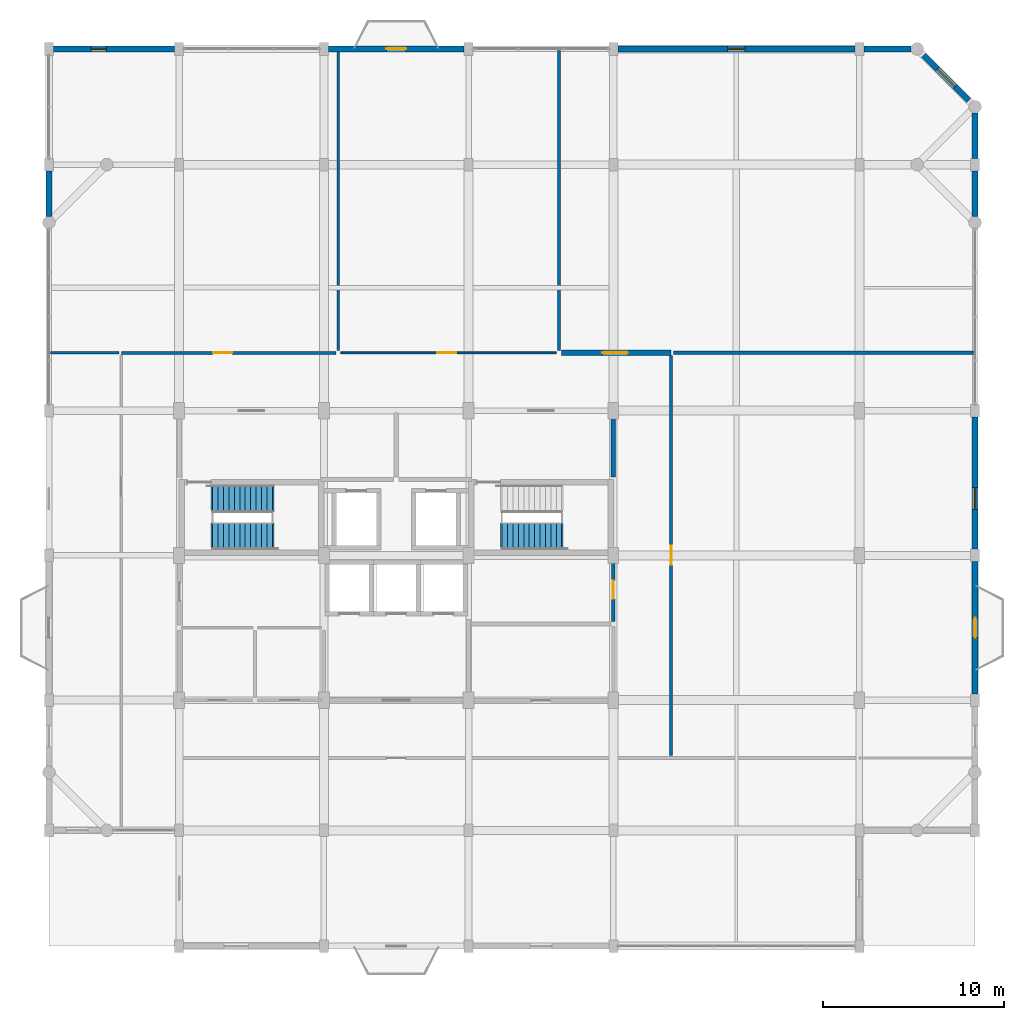
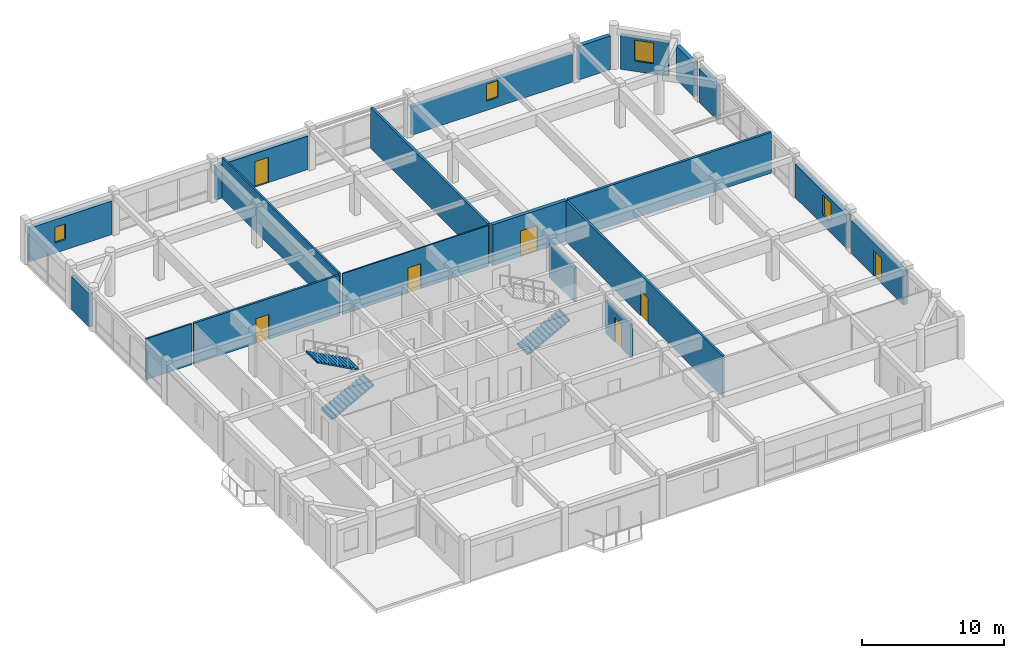
# One storey, part 12 of 14: 20 walls, 7 doors, 4 windows, 3 stair flights, 11 openings, 2 elements without a shape of their own.
"""IFC4 building model written with IfcOpenShell, lengths in metres."""

from ifc_helpers import new_model, si_unit, direction, frame, frame_2d, origin, place, context, subcontext, project, spatial, polyline, rectangle, outline, extrude, material, layer, layer_set, type_object, element, fill, aggregate, save


model = new_model("IFC4")

# Units and contexts
model_context = context("Model", 3, precision=1e-05, world=origin(), true_north=direction((0.0, 1.0)))
body_context = subcontext(model_context, "Body", "Model", "MODEL_VIEW")
ifc_project = project(units=[si_unit("LENGTHUNIT", "METRE"), si_unit("AREAUNIT", "SQUARE_METRE"), si_unit("VOLUMEUNIT", "CUBIC_METRE"), si_unit("PLANEANGLEUNIT", "RADIAN"), si_unit("MASSUNIT", "GRAM", prefix="KILO")], contexts=[model_context])

# Site, building, storey
site_placement = place(None, origin())
site = spatial("IfcSite", under=ifc_project, at=site_placement, CompositionType="ELEMENT")
building_placement = place(site_placement, origin())
building = spatial("IfcBuilding", under=site, at=building_placement, Name="Vellmiral Cinema and Media Centre", CompositionType="ELEMENT")
storey_placement = place(building_placement, frame((0.0, 0.0, 47.10009765625)))
storey = spatial("IfcBuildingStorey", under=building, at=storey_placement, Name="L11", CompositionType="ELEMENT", Elevation=47.10009765625)

# Wall, opening, door
ifc_material_1 = material(Name="Calcium-Silicate Masonry Blockwork", Category="masonry")
ifc_layer_1 = layer(ifc_material_1, 0.10009765625, Name="Calcium-Silicate Masonry Blockwork", Category="masonry")
ifc_material_2 = material(Name="Mineral Wool Acoustic Insulation", Category="insulation")
ifc_layer_2 = layer(ifc_material_2, 0.090087890625, Name="Mineral Wool Acoustic Insulation", Category="insulation")
ifc_layer_3 = layer(ifc_material_1, 0.10009765625, Name="Calcium-Silicate Masonry Blockwork", Category="masonry")
ifc_layer_set_1 = layer_set([ifc_layer_1, ifc_layer_2, ifc_layer_3], Name="Calcium-Silicate Masonry Blockwork")
wall_type_1 = type_object("IfcWallType", Name="WL-AC-290", PredefinedType="SOLIDWALL", material=ifc_layer_set_1)
wall_1_placement = place(storey_placement, frame((145.139892578125, 98.39990234375, 0.0), z_axis=(0.0, 0.0, 1.0), x_axis=(1.0, 0.0, 0.0)))
wall_1 = element("IfcWall", 1, at=wall_1_placement, inside=storey, type_object=wall_type_1, Name="North Media Screening Suite Wall S", PredefinedType="SOLIDWALL", context=body_context, shape_type="SweptSolid", body=[
    extrude(rectangle(XDim=6.06005859375, YDim=0.2900390625, at=frame_2d((3.030029296875, 0.0))), origin(), (0.0, 0.0, 1.0), 3.52001953125),
])
opening_1_placement = place(wall_1_placement, frame((2.260009765625, 0.0, 0.0)))
opening_1 = element("IfcOpeningElement", 2, at=opening_1_placement, cuts=wall_1, Name="Opening D-AC4", PredefinedType="OPENING", context=body_context, shape_type="SweptSolid", body=[
    extrude(rectangle(XDim=1.39990234375, YDim=2.199951171875, at=frame_2d((0.699951171875, 1.10009765625))), frame((0.0, 0.156982421875, 0.0), z_axis=(0.0, -1.0, 0.0), x_axis=(1.0, 0.0, 0.0)), (0.0, 0.0, 1.0), 0.31396484375),
])
ifc_material_3 = material(Name="Acoustic Studio Door", Category="steel")
door_type_1 = type_object("IfcDoorType", Name="DR-AC-1400x2200", OperationType="NOTDEFINED", PredefinedType="DOOR", material=ifc_material_3)
door_1_placement = place(opening_1_placement, frame((1.39990234375, 0.0, 0.0), z_axis=(0.0, 0.0, 1.0), x_axis=(-1.0, 0.0, 0.0)))
door_1 = element("IfcDoor", 3, at=door_1_placement, inside=storey, type_object=door_type_1, Name="North Media Screening Suite Door", OperationType="SINGLE_SWING_RIGHT", OverallHeight=2.199951171875, OverallWidth=1.39990234375, PredefinedType="DOOR", context=body_context, shape_type="SweptSolid", body=[
    extrude(rectangle(XDim=1.39990234375, YDim=2.199951171875, at=frame_2d((0.699951171875, 1.10009765625))), frame((0.0, 0.02490234375, 0.0), z_axis=(0.0, -1.0, 0.0), x_axis=(1.0, 0.0, 0.0)), (0.0, 0.0, 1.0), 0.050048828125),
])
fill(opening_1, door_1)

ifc_material_4 = material(Name="Concrete C40/50", Category="concrete")
ifc_layer_4 = layer(ifc_material_4, 0.2099609375, Name="Concrete C40/50")
ifc_layer_set_2 = layer_set([ifc_layer_4], Name="Concrete C40/50")
wall_type_2 = type_object("IfcWallType", Name="WL-COMP-210", PredefinedType="SOLIDWALL", material=ifc_layer_set_2)
wall_2_placement = place(storey_placement, frame((148.0, 83.5400390625, 0.0), z_axis=(0.0, 0.0, 1.0), x_axis=(0.0, 1.0, 0.0)))
wall_2 = element("IfcWall", 4, at=wall_2_placement, inside=storey, type_object=wall_type_2, Name="Mechanical Smoke Riser Room Wall E", PredefinedType="SOLIDWALL", context=body_context, shape_type="SweptSolid", body=[
    extrude(rectangle(XDim=3.52001953125, YDim=0.2099609375, at=frame_2d((1.760009765625, 0.0))), origin(), (0.0, 0.0, 1.0), 2.844970703125),
])
opening_2_placement = place(wall_2_placement, frame((1.260009765625, 0.0, 0.0)))
opening_2 = element("IfcOpeningElement", 5, at=opening_2_placement, cuts=wall_2, Name="Opening D-FD30B", PredefinedType="OPENING", context=body_context, shape_type="SweptSolid", body=[
    extrude(rectangle(XDim=1.0, YDim=2.14990234375, at=frame_2d((0.5, 1.074951171875))), frame((0.0, 0.116943359375, 0.0), z_axis=(0.0, -1.0, 0.0), x_axis=(1.0, 0.0, 0.0)), (0.0, 0.0, 1.0), 0.23388671875),
])
ifc_material_5 = material(Name="Steel Riser Fire Door", Category="steel")
door_type_2 = type_object("IfcDoorType", Name="DR-FD30-1000x2150", OperationType="NOTDEFINED", PredefinedType="DOOR", material=ifc_material_5)
door_2_placement = place(opening_2_placement, origin())
door_2 = element("IfcDoor", 6, at=door_2_placement, inside=storey, type_object=door_type_2, Name="Mechanical Smoke Riser Room Door", OperationType="SINGLE_SWING_LEFT", OverallHeight=2.14990234375, OverallWidth=1.0, PredefinedType="DOOR", context=body_context, shape_type="SweptSolid", body=[
    extrude(rectangle(XDim=1.0, YDim=2.14990234375, at=frame_2d((0.5, 1.074951171875))), frame((0.0, 0.02490234375, 0.0), z_axis=(0.0, -1.0, 0.0), x_axis=(1.0, 0.0, 0.0)), (0.0, 0.0, 1.0), 0.050048828125),
])
fill(opening_2, door_2)

# Wall, opening, window
ifc_material_6 = material(Name="Polychrome Glazed Ceramic Cladding", Category="masonry")
ifc_layer_5 = layer(ifc_material_6, 0.320068359375, Name="Polychrome Glazed Ceramic Cladding")
ifc_layer_set_3 = layer_set([ifc_layer_5], Name="Polychrome Glazed Ceramic Cladding")
wall_type_3 = type_object("IfcWallType", Name="WL-EXT-BRICK-320", PredefinedType="SOLIDWALL", material=ifc_layer_set_3)
wall_3_placement = place(storey_placement, frame((168.0, 87.550048828125, 0.0), z_axis=(0.0, 0.0, 1.0), x_axis=(0.0, 1.0, 0.0)))
wall_3 = element("IfcWall", 7, at=wall_3_placement, inside=storey, type_object=wall_type_3, Name="Exterior Facade Wall L11-011", PredefinedType="SOLIDWALL", context=body_context, shape_type="SweptSolid", body=[
    extrude(rectangle(XDim=7.300048828125, YDim=0.320068359375, at=frame_2d((3.64990234375, 0.0))), origin(), (0.0, 0.0, 1.0), 2.89990234375),
])
opening_3_placement = place(wall_3_placement, frame((2.199951171875, 0.0, 0.89990234375)))
opening_3 = element("IfcOpeningElement", 8, at=opening_3_placement, cuts=wall_3, Name="Opening WN-10", PredefinedType="OPENING", context=body_context, shape_type="SweptSolid", body=[
    extrude(rectangle(XDim=1.199951171875, YDim=1.699951171875, at=frame_2d((0.60009765625, 0.85009765625))), frame((0.0, 0.171875, 0.0), z_axis=(0.0, -1.0, 0.0), x_axis=(1.0, 0.0, 0.0)), (0.0, 0.0, 1.0), 0.343994140625),
])
ifc_material_7 = material(Name="Thermally Broken Aluminium Triple Glazing", Category="aluminium")
window_type_1 = type_object("IfcWindowType", Name="WN-1200x1700", PartitioningType="SINGLE_PANEL", PredefinedType="WINDOW", material=ifc_material_7)
window_1_placement = place(opening_3_placement, origin())
window_1 = element("IfcWindow", 9, at=window_1_placement, inside=storey, type_object=window_type_1, Name="Window L11-011", OverallHeight=1.699951171875, OverallWidth=1.199951171875, PartitioningType="SINGLE_PANEL", PredefinedType="WINDOW", context=body_context, shape_type="SweptSolid", body=[
    extrude(rectangle(XDim=1.199951171875, YDim=1.699951171875, at=frame_2d((0.60009765625, 0.85009765625))), frame((0.0, 0.030029296875, 0.0), z_axis=(0.0, -1.0, 0.0), x_axis=(1.0, 0.0, 0.0)), (0.0, 0.0, 1.0), 0.06005859375),
])
fill(opening_3, window_1)

# Wall
wall_4_placement = place(storey_placement, frame((168.0, 105.949951171875, 0.0), z_axis=(0.0, 0.0, 1.0), x_axis=(0.0, 1.0, 0.0)))
element("IfcWall", 10, at=wall_4_placement, inside=storey, type_object=wall_type_3, Name="Exterior Facade Wall L11-013", PredefinedType="SOLIDWALL", context=body_context, shape_type="SweptSolid", body=[
    extrude(rectangle(XDim=2.5, YDim=0.320068359375, at=frame_2d((1.25, 0.0))), origin(), (0.0, 0.0, 1.0), 2.885009765625),
])

# Wall, opening, window
wall_5_placement = place(storey_placement, frame((167.64990234375, 112.35009765625, 0.0), z_axis=(0.0, 0.0, 1.0), x_axis=(-0.707106781187, 0.707106781187, 0.0)))
wall_5 = element("IfcWall", 11, at=wall_5_placement, inside=storey, type_object=wall_type_3, Name="Exterior Facade Wall L11-015", PredefinedType="SOLIDWALL", context=body_context, shape_type="SweptSolid", body=[
    extrude(rectangle(XDim=3.53564453125, YDim=0.320068359375, at=frame_2d((1.767822265625, 0.0))), origin(), (0.0, 0.0, 1.0), 2.89501953125),
])
opening_4_placement = place(wall_5_placement, frame((1.06787109375, 0.0, 0.89990234375)))
opening_4 = element("IfcOpeningElement", 12, at=opening_4_placement, cuts=wall_5, Name="Opening WN-07", PredefinedType="OPENING", context=body_context, shape_type="SweptSolid", body=[
    extrude(rectangle(XDim=1.39990234375, YDim=1.800048828125, at=frame_2d((0.699951171875, 0.89990234375))), frame((0.0, 0.171875, 0.0), z_axis=(0.0, -1.0, 0.0), x_axis=(1.0, 0.0, 0.0)), (0.0, 0.0, 1.0), 0.343994140625),
])
ifc_material_8 = material(Name="Thermally Broken Aluminium Triple Glazing", Category="aluminium")
window_type_2 = type_object("IfcWindowType", Name="WN-1400x1800", PartitioningType="SINGLE_PANEL", PredefinedType="WINDOW", material=ifc_material_8)
window_2_placement = place(opening_4_placement, origin())
window_2 = element("IfcWindow", 13, at=window_2_placement, inside=storey, type_object=window_type_2, Name="Window L11-015", OverallHeight=1.800048828125, OverallWidth=1.39990234375, PartitioningType="SINGLE_PANEL", PredefinedType="WINDOW", context=body_context, shape_type="SweptSolid", body=[
    extrude(rectangle(XDim=1.39990234375, YDim=1.800048828125, at=frame_2d((0.699951171875, 0.89990234375))), frame((0.0, 0.030029296875, 0.0), z_axis=(0.0, -1.0, 0.0), x_axis=(1.0, 0.0, 0.0)), (0.0, 0.0, 1.0), 0.06005859375),
])
fill(opening_4, window_2)

wall_6_placement = place(storey_placement, frame((161.35009765625, 115.199951171875, 0.0), z_axis=(0.0, 0.0, 1.0), x_axis=(-1.0, 0.0, 0.0)))
wall_6 = element("IfcWall", 14, at=wall_6_placement, inside=storey, type_object=wall_type_3, Name="Exterior Facade Wall L11-017", PredefinedType="SOLIDWALL", context=body_context, shape_type="SweptSolid", body=[
    extrude(rectangle(XDim=13.10009765625, YDim=0.320068359375, at=frame_2d((6.550048828125, 0.0))), origin(), (0.0, 0.0, 1.0), 2.434814453125),
])
opening_5_placement = place(wall_6_placement, frame((6.074951171875, 0.0, 0.800048828125)))
opening_5 = element("IfcOpeningElement", 15, at=opening_5_placement, cuts=wall_6, Name="Opening WN-12", PredefinedType="OPENING", context=body_context, shape_type="SweptSolid", body=[
    extrude(rectangle(XDim=0.949951171875, YDim=1.449951171875, at=frame_2d((0.47509765625, 0.72509765625))), frame((0.0, 0.171875, 0.0), z_axis=(0.0, -1.0, 0.0), x_axis=(1.0, 0.0, 0.0)), (0.0, 0.0, 1.0), 0.343994140625),
])
ifc_material_9 = material(Name="Thermally Broken Aluminium Triple Glazing", Category="aluminium")
window_type_3 = type_object("IfcWindowType", Name="WN-0950x1450", PartitioningType="SINGLE_PANEL", PredefinedType="WINDOW", material=ifc_material_9)
window_3_placement = place(opening_5_placement, origin())
window_3 = element("IfcWindow", 16, at=window_3_placement, inside=storey, type_object=window_type_3, Name="Window L11-017", OverallHeight=1.449951171875, OverallWidth=0.949951171875, PartitioningType="SINGLE_PANEL", PredefinedType="WINDOW", context=body_context, shape_type="SweptSolid", body=[
    extrude(rectangle(XDim=0.949951171875, YDim=1.449951171875, at=frame_2d((0.47509765625, 0.72509765625))), frame((0.0, 0.030029296875, 0.0), z_axis=(0.0, -1.0, 0.0), x_axis=(1.0, 0.0, 0.0)), (0.0, 0.0, 1.0), 0.06005859375),
])
fill(opening_5, window_3)

# Wall, opening, door
wall_7_placement = place(storey_placement, frame((139.75, 115.199951171875, 0.0), z_axis=(0.0, 0.0, 1.0), x_axis=(-1.0, 0.0, 0.0)))
wall_7 = element("IfcWall", 17, at=wall_7_placement, inside=storey, type_object=wall_type_3, Name="Exterior Facade Wall L11-019", PredefinedType="SOLIDWALL", context=body_context, shape_type="SweptSolid", body=[
    extrude(rectangle(XDim=7.5, YDim=0.320068359375, at=frame_2d((3.75, 0.0))), origin(), (0.0, 0.0, 1.0), 2.89990234375),
])
opening_6_placement = place(wall_7_placement, frame((3.199951171875, 0.0, 0.0)))
opening_6 = element("IfcOpeningElement", 18, at=opening_6_placement, cuts=wall_7, Name="Opening DE-06", PredefinedType="OPENING", context=body_context, shape_type="SweptSolid", body=[
    extrude(rectangle(XDim=1.10009765625, YDim=2.199951171875, at=frame_2d((0.550048828125, 1.10009765625))), frame((0.0, 0.171875, 0.0), z_axis=(0.0, -1.0, 0.0), x_axis=(1.0, 0.0, 0.0)), (0.0, 0.0, 1.0), 0.343994140625),
])
ifc_material_10 = material(Name="Thermally Broken Glazed Aluminium and Bronze Door", Category="aluminium")
door_type_3 = type_object("IfcDoorType", Name="DR-MIRA-1100x2200", OperationType="NOTDEFINED", PredefinedType="DOOR", material=ifc_material_10)
door_3_placement = place(opening_6_placement, frame((1.10009765625, 0.0, 0.0), z_axis=(0.0, 0.0, 1.0), x_axis=(-1.0, 0.0, 0.0)))
door_3 = element("IfcDoor", 19, at=door_3_placement, inside=storey, type_object=door_type_3, Name="Mirador Balcony Door L11-N", OperationType="SINGLE_SWING_LEFT", OverallHeight=2.199951171875, OverallWidth=1.10009765625, PredefinedType="DOOR", context=body_context, shape_type="SweptSolid", body=[
    extrude(rectangle(XDim=1.10009765625, YDim=2.199951171875, at=frame_2d((0.550048828125, 1.10009765625))), frame((0.0, 0.02490234375, 0.0), z_axis=(0.0, -1.0, 0.0), x_axis=(1.0, 0.0, 0.0)), (0.0, 0.0, 1.0), 0.050048828125),
])
fill(opening_6, door_3)

# Wall, opening, window
wall_8_placement = place(storey_placement, frame((123.75, 115.199951171875, 0.0), z_axis=(0.0, 0.0, 1.0), x_axis=(-1.0, 0.0, 0.0)))
wall_8 = element("IfcWall", 20, at=wall_8_placement, inside=storey, type_object=wall_type_3, Name="Exterior Facade Wall L11-021", PredefinedType="SOLIDWALL", context=body_context, shape_type="SweptSolid", body=[
    extrude(rectangle(XDim=6.699951171875, YDim=0.320068359375, at=frame_2d((3.35009765625, 0.0))), origin(), (0.0, 0.0, 1.0), 2.89990234375),
])
opening_7_placement = place(wall_8_placement, frame((3.77490234375, 0.0, 0.89990234375)))
opening_7 = element("IfcOpeningElement", 21, at=opening_7_placement, cuts=wall_8, Name="Opening WN-13", PredefinedType="OPENING", context=body_context, shape_type="SweptSolid", body=[
    extrude(rectangle(XDim=0.85009765625, YDim=1.35009765625, at=frame_2d((0.425048828125, 0.675048828125))), frame((0.0, 0.171875, 0.0), z_axis=(0.0, -1.0, 0.0), x_axis=(1.0, 0.0, 0.0)), (0.0, 0.0, 1.0), 0.343994140625),
])
ifc_material_11 = material(Name="Thermally Broken Aluminium Triple Glazing", Category="aluminium")
window_type_4 = type_object("IfcWindowType", Name="WN-0850x1350", PartitioningType="SINGLE_PANEL", PredefinedType="WINDOW", material=ifc_material_11)
window_4_placement = place(opening_7_placement, origin())
window_4 = element("IfcWindow", 22, at=window_4_placement, inside=storey, type_object=window_type_4, Name="Window L11-021", OverallHeight=1.35009765625, OverallWidth=0.85009765625, PartitioningType="SINGLE_PANEL", PredefinedType="WINDOW", context=body_context, shape_type="SweptSolid", body=[
    extrude(rectangle(XDim=0.85009765625, YDim=1.35009765625, at=frame_2d((0.425048828125, 0.675048828125))), frame((0.0, 0.030029296875, 0.0), z_axis=(0.0, -1.0, 0.0), x_axis=(1.0, 0.0, 0.0)), (0.0, 0.0, 1.0), 0.06005859375),
])
fill(opening_7, window_4)

# Wall
wall_9_placement = place(storey_placement, frame((116.800048828125, 108.449951171875, 0.0), z_axis=(0.0, 0.0, 1.0), x_axis=(0.0, -1.0, 0.0)))
element("IfcWall", 23, at=wall_9_placement, inside=storey, type_object=wall_type_3, Name="Exterior Facade Wall L11-023", PredefinedType="SOLIDWALL", context=body_context, shape_type="SweptSolid", body=[
    extrude(rectangle(XDim=2.5, YDim=0.320068359375, at=frame_2d((1.25, 0.0))), origin(), (0.0, 0.0, 1.0), 2.885009765625),
])

# Wall, opening, door
ifc_material_12 = material(Name="Vosges Red Sandstone Masonry", Category="masonry")
ifc_layer_6 = layer(ifc_material_12, 0.340087890625, Name="Vosges Red Sandstone Masonry")
ifc_layer_set_4 = layer_set([ifc_layer_6], Name="Vosges Red Sandstone Masonry")
wall_type_4 = type_object("IfcWallType", Name="WL-EXT-SAND-340", PredefinedType="SOLIDWALL", material=ifc_layer_set_4)
wall_10_placement = place(storey_placement, frame((168.0, 79.550048828125, 0.0), z_axis=(0.0, 0.0, 1.0), x_axis=(0.0, 1.0, 0.0)))
wall_10 = element("IfcWall", 24, at=wall_10_placement, inside=storey, type_object=wall_type_4, Name="Exterior Facade Wall L11-010", PredefinedType="SOLIDWALL", context=body_context, shape_type="SweptSolid", body=[
    extrude(rectangle(XDim=7.300048828125, YDim=0.340087890625, at=frame_2d((3.64990234375, 0.0))), origin(), (0.0, 0.0, 1.0), 2.89990234375),
])
opening_8_placement = place(wall_10_placement, frame((3.10009765625, 0.0, 0.0)))
opening_8 = element("IfcOpeningElement", 25, at=opening_8_placement, cuts=wall_10, Name="Opening DE-06", PredefinedType="OPENING", context=body_context, shape_type="SweptSolid", body=[
    extrude(rectangle(XDim=1.10009765625, YDim=2.199951171875, at=frame_2d((0.550048828125, 1.10009765625))), frame((0.0, 0.18212890625, 0.0), z_axis=(0.0, -1.0, 0.0), x_axis=(1.0, 0.0, 0.0)), (0.0, 0.0, 1.0), 0.364013671875),
])
door_4_placement = place(opening_8_placement, frame((1.10009765625, 0.0, 0.0), z_axis=(0.0, 0.0, 1.0), x_axis=(-1.0, 0.0, 0.0)))
door_4 = element("IfcDoor", 26, at=door_4_placement, inside=storey, type_object=door_type_3, Name="Mirador Balcony Door L11-E", OperationType="SINGLE_SWING_RIGHT", OverallHeight=2.199951171875, OverallWidth=1.10009765625, PredefinedType="DOOR", context=body_context, shape_type="SweptSolid", body=[
    extrude(rectangle(XDim=1.10009765625, YDim=2.199951171875, at=frame_2d((0.550048828125, 1.10009765625))), frame((0.0, 0.02490234375, 0.0), z_axis=(0.0, -1.0, 0.0), x_axis=(1.0, 0.0, 0.0)), (0.0, 0.0, 1.0), 0.050048828125),
])
fill(opening_8, door_4)

# Walls
wall_11_placement = place(storey_placement, frame((168.0, 109.14990234375, 0.0), z_axis=(0.0, 0.0, 1.0), x_axis=(0.0, 1.0, 0.0)))
element("IfcWall", 27, at=wall_11_placement, inside=storey, type_object=wall_type_4, Name="Exterior Facade Wall L11-014", PredefinedType="SOLIDWALL", context=body_context, shape_type="SweptSolid", body=[
    extrude(rectangle(XDim=2.5, YDim=0.340087890625, at=frame_2d((1.25, 0.0))), origin(), (0.0, 0.0, 1.0), 2.89990234375),
])
wall_12_placement = place(storey_placement, frame((164.449951171875, 115.199951171875, 0.0), z_axis=(0.0, 0.0, 1.0), x_axis=(-1.0, 0.0, 0.0)))
element("IfcWall", 28, at=wall_12_placement, inside=storey, type_object=wall_type_4, Name="Exterior Facade Wall L11-016", PredefinedType="SOLIDWALL", context=body_context, shape_type="SweptSolid", body=[
    extrude(rectangle(XDim=2.599853515625, YDim=0.340087890625, at=frame_2d((1.2998046875, 0.0))), origin(), (0.0, 0.0, 1.0), 2.89990234375),
])
ifc_material_13 = material(Name="Concrete C40/50", Category="concrete")
ifc_layer_7 = layer(ifc_material_13, 0.22998046875, Name="Concrete C40/50")
ifc_layer_set_5 = layer_set([ifc_layer_7], Name="Concrete C40/50")
wall_type_5 = type_object("IfcWallType", Name="WL-FFL-230", PredefinedType="SOLIDWALL", material=ifc_layer_set_5)
wall_13_placement = place(storey_placement, frame((148.0, 91.5400390625, 0.0), z_axis=(0.0, 0.0, 1.0), x_axis=(0.0, 1.0, 0.0)))
element("IfcWall", 29, at=wall_13_placement, inside=storey, type_object=wall_type_5, Name="Firefighting Lobby East Wall E", PredefinedType="SOLIDWALL", context=body_context, shape_type="SweptSolid", body=[
    extrude(rectangle(XDim=3.52001953125, YDim=0.22998046875, at=frame_2d((1.760009765625, 0.0))), origin(), (0.0, 0.0, 1.0), 2.89501953125),
])

# Wall, opening, door
ifc_material_14 = material(Name="Gypsum Plasterboard")
ifc_layer_8 = layer(ifc_material_14, 0.02490234375, Name="Gypsum Plasterboard", Category="gypsum")
ifc_material_15 = material(Name="Mineral Wool Acoustic Insulation", Category="insulation")
ifc_layer_9 = layer(ifc_material_15, 0.06005859375, Name="Mineral Wool Acoustic Insulation", Category="insulation")
ifc_layer_10 = layer(ifc_material_14, 0.02490234375, Name="Gypsum Plasterboard", Category="gypsum")
ifc_layer_set_6 = layer_set([ifc_layer_8, ifc_layer_9, ifc_layer_10], Name="Gypsum Plasterboard")
wall_type_6 = type_object("IfcWallType", Name="WL-PART-110", PredefinedType="PARTITIONING", material=ifc_layer_set_6)
wall_14_placement = place(storey_placement, frame((132.93994140625, 98.39990234375, 0.0), z_axis=(0.0, 0.0, 1.0), x_axis=(1.0, 0.0, 0.0)))
wall_14 = element("IfcWall", 30, at=wall_14_placement, inside=storey, type_object=wall_type_6, Name="North Media Suite B Wall S", PredefinedType="PARTITIONING", context=body_context, shape_type="SweptSolid", body=[
    extrude(rectangle(XDim=11.920166015625, YDim=0.110107421875, at=frame_2d((5.9599609375, 0.0))), origin(), (0.0, 0.0, 1.0), 3.52001953125),
])
opening_9_placement = place(wall_14_placement, frame((5.3349609375, 0.0, 0.0)))
opening_9 = element("IfcOpeningElement", 31, at=opening_9_placement, cuts=wall_14, Name="Opening D-I07", PredefinedType="OPENING", context=body_context, shape_type="SweptSolid", body=[
    extrude(rectangle(XDim=1.050048828125, YDim=2.14990234375, at=frame_2d((0.52490234375, 1.074951171875))), frame((0.0, 0.06689453125, 0.0), z_axis=(0.0, -1.0, 0.0), x_axis=(1.0, 0.0, 0.0)), (0.0, 0.0, 1.0), 0.134033203125),
])
ifc_material_16 = material(Name="Laminated Timber Door", Category="wood")
door_type_4 = type_object("IfcDoorType", Name="DR-INT-1050x2150", OperationType="NOTDEFINED", PredefinedType="DOOR", material=ifc_material_16)
door_5_placement = place(opening_9_placement, origin())
door_5 = element("IfcDoor", 32, at=door_5_placement, inside=storey, type_object=door_type_4, Name="North Media Suite B Door", OperationType="SINGLE_SWING_LEFT", OverallHeight=2.14990234375, OverallWidth=1.050048828125, PredefinedType="DOOR", context=body_context, shape_type="SweptSolid", body=[
    extrude(rectangle(XDim=1.050048828125, YDim=2.14990234375, at=frame_2d((0.52490234375, 1.074951171875))), frame((0.0, 0.02490234375, 0.0), z_axis=(0.0, -1.0, 0.0), x_axis=(1.0, 0.0, 0.0)), (0.0, 0.0, 1.0), 0.050048828125),
])
fill(opening_9, door_5)

# Walls
ifc_material_17 = material(Name="Gypsum Plasterboard")
ifc_layer_11 = layer(ifc_material_17, 0.02490234375, Name="Gypsum Plasterboard", Category="gypsum")
ifc_material_18 = material(Name="Mineral Wool Acoustic Insulation", Category="insulation")
ifc_layer_12 = layer(ifc_material_18, 0.080078125, Name="Mineral Wool Acoustic Insulation", Category="insulation")
ifc_layer_13 = layer(ifc_material_17, 0.02490234375, Name="Gypsum Plasterboard", Category="gypsum")
ifc_layer_set_7 = layer_set([ifc_layer_11, ifc_layer_12, ifc_layer_13], Name="Gypsum Plasterboard")
wall_type_7 = type_object("IfcWallType", Name="WL-PART-130", PredefinedType="PARTITIONING", material=ifc_layer_set_7)
wall_15_placement = place(storey_placement, frame((116.89501953125, 98.39990234375, 0.0), z_axis=(0.0, 0.0, 1.0), x_axis=(1.0, 0.0, 0.0)))
element("IfcWall", 33, at=wall_15_placement, inside=storey, type_object=wall_type_7, Name="West Media Server Monitoring Office Wall N", PredefinedType="PARTITIONING", context=body_context, shape_type="SweptSolid", body=[
    extrude(rectangle(XDim=3.764892578125, YDim=0.1298828125, at=frame_2d((1.88232421875, 0.0))), origin(), (0.0, 0.0, 1.0), 3.52001953125),
])
ifc_material_19 = material(Name="Gypsum Plasterboard")
ifc_layer_14 = layer(ifc_material_19, 0.02490234375, Name="Gypsum Plasterboard", Category="gypsum")
ifc_material_20 = material(Name="Mineral Wool Acoustic Insulation", Category="insulation")
ifc_layer_15 = layer(ifc_material_20, 0.10009765625, Name="Mineral Wool Acoustic Insulation", Category="insulation")
ifc_layer_16 = layer(ifc_material_19, 0.02490234375, Name="Gypsum Plasterboard", Category="gypsum")
ifc_layer_set_8 = layer_set([ifc_layer_14, ifc_layer_15, ifc_layer_16], Name="Gypsum Plasterboard")
wall_type_8 = type_object("IfcWallType", Name="WL-PART-150", PredefinedType="PARTITIONING", material=ifc_layer_set_8)
wall_16_placement = place(storey_placement, frame((132.800048828125, 98.5400390625, 0.0), z_axis=(0.0, 0.0, 1.0), x_axis=(0.0, 1.0, 0.0)))
element("IfcWall", 34, at=wall_16_placement, inside=storey, type_object=wall_type_8, Name="North Media Conference Room Wall E", PredefinedType="PARTITIONING", context=body_context, shape_type="SweptSolid", body=[
    extrude(rectangle(XDim=16.48486328125, YDim=0.14990234375, at=frame_2d((8.242431640625, 0.0))), origin(), (0.0, 0.0, 1.0), 3.52001953125),
])

# Wall, opening, door
ifc_material_21 = material(Name="Gypsum Plasterboard")
ifc_layer_17 = layer(ifc_material_21, 0.02490234375, Name="Gypsum Plasterboard", Category="gypsum")
ifc_material_22 = material(Name="Mineral Wool Acoustic Insulation", Category="insulation")
ifc_layer_18 = layer(ifc_material_22, 0.1201171875, Name="Mineral Wool Acoustic Insulation", Category="insulation")
ifc_layer_19 = layer(ifc_material_21, 0.02490234375, Name="Gypsum Plasterboard", Category="gypsum")
ifc_layer_set_9 = layer_set([ifc_layer_17, ifc_layer_18, ifc_layer_19], Name="Gypsum Plasterboard")
wall_type_9 = type_object("IfcWallType", Name="WL-PART-170", PredefinedType="PARTITIONING", material=ifc_layer_set_9)
wall_17_placement = place(storey_placement, frame((151.199951171875, 76.139892578125, 0.0), z_axis=(0.0, 0.0, 1.0), x_axis=(0.0, 1.0, 0.0)))
wall_17 = element("IfcWall", 35, at=wall_17_placement, inside=storey, type_object=wall_type_9, Name="East Media Quality Assurance Lab Wall W", PredefinedType="PARTITIONING", context=body_context, shape_type="SweptSolid", body=[
    extrude(rectangle(XDim=22.1201171875, YDim=0.169921875, at=frame_2d((11.06005859375, 0.0))), origin(), (0.0, 0.0, 1.0), 3.52001953125),
])
opening_10_placement = place(wall_17_placement, frame((10.534912109375, 0.0, 0.0)))
opening_10 = element("IfcOpeningElement", 36, at=opening_10_placement, cuts=wall_17, Name="Opening D-I07", PredefinedType="OPENING", context=body_context, shape_type="SweptSolid", body=[
    extrude(rectangle(XDim=1.050048828125, YDim=2.14990234375, at=frame_2d((0.52490234375, 1.074951171875))), frame((0.0, 0.096923828125, 0.0), z_axis=(0.0, -1.0, 0.0), x_axis=(1.0, 0.0, 0.0)), (0.0, 0.0, 1.0), 0.19384765625),
])
door_6_placement = place(opening_10_placement, origin())
door_6 = element("IfcDoor", 37, at=door_6_placement, inside=storey, type_object=door_type_4, Name="East Media Quality Assurance Lab Door", OperationType="SINGLE_SWING_RIGHT", OverallHeight=2.14990234375, OverallWidth=1.050048828125, PredefinedType="DOOR", context=body_context, shape_type="SweptSolid", body=[
    extrude(rectangle(XDim=1.050048828125, YDim=2.14990234375, at=frame_2d((0.52490234375, 1.074951171875))), frame((0.0, 0.02490234375, 0.0), z_axis=(0.0, -1.0, 0.0), x_axis=(1.0, 0.0, 0.0)), (0.0, 0.0, 1.0), 0.050048828125),
])
fill(opening_10, door_6)

wall_18_placement = place(storey_placement, frame((120.800048828125, 98.39990234375, 0.0), z_axis=(0.0, 0.0, 1.0), x_axis=(1.0, 0.0, 0.0)))
wall_18 = element("IfcWall", 38, at=wall_18_placement, inside=storey, type_object=wall_type_9, Name="North Media Conference Room Wall S", PredefinedType="PARTITIONING", context=body_context, shape_type="SweptSolid", body=[
    extrude(rectangle(XDim=11.85986328125, YDim=0.169921875, at=frame_2d((5.929931640625, 0.0))), origin(), (0.0, 0.0, 1.0), 3.52001953125),
])
opening_11_placement = place(wall_18_placement, frame((5.074951171875, 0.0, 0.0)))
opening_11 = element("IfcOpeningElement", 39, at=opening_11_placement, cuts=wall_18, Name="Opening D-I07", PredefinedType="OPENING", context=body_context, shape_type="SweptSolid", body=[
    extrude(rectangle(XDim=1.050048828125, YDim=2.14990234375, at=frame_2d((0.52490234375, 1.074951171875))), frame((0.0, 0.096923828125, 0.0), z_axis=(0.0, -1.0, 0.0), x_axis=(1.0, 0.0, 0.0)), (0.0, 0.0, 1.0), 0.19384765625),
])
door_7_placement = place(opening_11_placement, origin())
door_7 = element("IfcDoor", 40, at=door_7_placement, inside=storey, type_object=door_type_4, Name="North Media Conference Room Door", OperationType="SINGLE_SWING_LEFT", OverallHeight=2.14990234375, OverallWidth=1.050048828125, PredefinedType="DOOR", context=body_context, shape_type="SweptSolid", body=[
    extrude(rectangle(XDim=1.050048828125, YDim=2.14990234375, at=frame_2d((0.52490234375, 1.074951171875))), frame((0.0, 0.02490234375, 0.0), z_axis=(0.0, -1.0, 0.0), x_axis=(1.0, 0.0, 0.0)), (0.0, 0.0, 1.0), 0.050048828125),
])
fill(opening_11, door_7)

# Walls
ifc_material_23 = material(Name="Gypsum Plasterboard")
ifc_layer_20 = layer(ifc_material_23, 0.02490234375, Name="Gypsum Plasterboard", Category="gypsum")
ifc_material_24 = material(Name="Mineral Wool Acoustic Insulation", Category="insulation")
ifc_layer_21 = layer(ifc_material_24, 0.139892578125, Name="Mineral Wool Acoustic Insulation", Category="insulation")
ifc_layer_22 = layer(ifc_material_23, 0.02490234375, Name="Gypsum Plasterboard", Category="gypsum")
ifc_layer_set_10 = layer_set([ifc_layer_20, ifc_layer_21, ifc_layer_22], Name="Gypsum Plasterboard")
wall_type_10 = type_object("IfcWallType", Name="WL-PART-190", PredefinedType="PARTITIONING", material=ifc_layer_set_10)
for number, where, z_axis, x_axis, name in (
    (41, (151.340087890625, 98.39990234375, 0.0), (0.0, 0.0, 1.0), (1.0, 0.0, 0.0), "East Media Quality Assurance Lab Wall N"),
    (42, (145.0, 98.5400390625, 0.0), (0.0, 0.0, 1.0), (0.0, 1.0, 0.0), "North Media Suite B Wall E"),
):
    element("IfcWall", number, at=place(storey_placement, frame(where, z_axis=z_axis, x_axis=x_axis)), inside=storey, type_object=wall_type_10, Name=name, PredefinedType="PARTITIONING", context=body_context, shape_type="SweptSolid", body=[
        extrude(rectangle(XDim=16.56494140625, YDim=0.18994140625, at=frame_2d((8.282470703125, 0.0))), origin(), (0.0, 0.0, 1.0), 3.52001953125),
    ])

# Stair, stair flights
ifc_material_25 = material(Name="Concrete C40/50", Category="concrete")
stair_type = type_object("IfcStairType", Name="ST-2RET-380", PredefinedType="HALF_TURN_STAIR", material=ifc_material_25)
stair_1_placement = place(storey_placement, origin())
stair_1 = element("IfcStair", 43, at=stair_1_placement, inside=storey, type_object=stair_type, Name="Protected Escape Stair ST-T1 (L11)", PredefinedType="HALF_TURN_STAIR")
ifc_material_26 = material(Name="Concrete C40/50", Category="concrete")
stair_flight_type = type_object("IfcStairFlightType", Name="STF-STR-380", PredefinedType="STRAIGHT", material=ifc_material_26)
stair_flight_1_placement = place(storey_placement, frame((125.85009765625, 88.25, 0.0), z_axis=(0.0, 0.0, 1.0), x_axis=(1.0, 0.0, 0.0)))
stair_flight_1 = element("IfcStairFlight", 44, at=stair_flight_1_placement, type_object=stair_flight_type, Name="ST-T1 flight 1", NumberOfRisers=12, NumberOfTreads=11, PredefinedType="STRAIGHT", RiserHeight=0.158333333, TreadLength=0.3, context=body_context, shape_type="SweptSolid", body=[
    extrude(outline(polyline([(-0.080078125, 0.0), (-0.080078125, 0.094970703125), (0.0, 0.158447265625), (0.300048828125, 0.158447265625), (0.300048828125, 0.316650390625), (0.60009765625, 0.316650390625), (0.60009765625, 0.47509765625), (0.89990234375, 0.47509765625), (0.89990234375, 0.63330078125), (1.199951171875, 0.63330078125), (1.199951171875, 0.791748046875), (1.5, 0.791748046875), (1.5, 0.949951171875), (1.800048828125, 0.949951171875), (1.800048828125, 1.1083984375), (2.10009765625, 1.1083984375), (2.10009765625, 1.2666015625), (2.39990234375, 1.2666015625), (2.39990234375, 1.425048828125), (2.699951171875, 1.425048828125), (2.699951171875, 1.583251953125), (3.0, 1.583251953125), (3.0, 1.74169921875), (3.300048828125, 1.74169921875), (3.300048828125, 1.89990234375), (3.380126953125, 1.89990234375), (3.380126953125, 1.739990234375), (0.179931640625, 0.0), (-0.080078125, 0.0)])), frame((0.0, 0.75, 0.0), z_axis=(0.0, -1.0, 0.0), x_axis=(1.0, 0.0, 0.0)), (0.0, 0.0, 1.0), 1.5),
])
stair_flight_2_placement = place(storey_placement, frame((129.14990234375, 90.35009765625, 1.89990234375), z_axis=(0.0, 0.0, 1.0), x_axis=(-1.0, 0.0, 0.0)))
stair_flight_2 = element("IfcStairFlight", 45, at=stair_flight_2_placement, type_object=stair_flight_type, Name="ST-T1 flight 2", NumberOfRisers=12, NumberOfTreads=11, PredefinedType="STRAIGHT", RiserHeight=0.158333333, TreadLength=0.3, context=body_context, shape_type="SweptSolid", body=[
    extrude(outline(polyline([(-0.080078125, 0.0), (-0.080078125, 0.094970703125), (0.0, 0.158447265625), (0.300048828125, 0.158447265625), (0.300048828125, 0.316650390625), (0.60009765625, 0.316650390625), (0.60009765625, 0.47509765625), (0.89990234375, 0.47509765625), (0.89990234375, 0.63330078125), (1.199951171875, 0.63330078125), (1.199951171875, 0.791748046875), (1.5, 0.791748046875), (1.5, 0.949951171875), (1.800048828125, 0.949951171875), (1.800048828125, 1.1083984375), (2.10009765625, 1.1083984375), (2.10009765625, 1.2666015625), (2.39990234375, 1.2666015625), (2.39990234375, 1.425048828125), (2.699951171875, 1.425048828125), (2.699951171875, 1.583251953125), (3.0, 1.583251953125), (3.0, 1.74169921875), (3.300048828125, 1.74169921875), (3.300048828125, 1.89990234375), (3.380126953125, 1.89990234375), (3.380126953125, 1.739990234375), (0.179931640625, 0.0), (-0.080078125, 0.0)])), frame((0.0, 0.75, 0.0), z_axis=(0.0, -1.0, 0.0), x_axis=(1.0, 0.0, 0.0)), (0.0, 0.0, 1.0), 1.5),
])
aggregate(stair_1, [stair_flight_1, stair_flight_2])

# Stair, stair flight
stair_2_placement = place(storey_placement, origin())
stair_2 = element("IfcStair", 46, at=stair_2_placement, inside=storey, type_object=stair_type, Name="Protected Escape Stair ST-T2 (L11)", PredefinedType="HALF_TURN_STAIR")
stair_flight_3_placement = place(storey_placement, frame((141.85009765625, 88.25, 0.0), z_axis=(0.0, 0.0, 1.0), x_axis=(1.0, 0.0, 0.0)))
stair_flight_3 = element("IfcStairFlight", 47, at=stair_flight_3_placement, type_object=stair_flight_type, Name="ST-T2 flight 1", NumberOfRisers=12, NumberOfTreads=11, PredefinedType="STRAIGHT", RiserHeight=0.158333333, TreadLength=0.3, context=body_context, shape_type="SweptSolid", body=[
    extrude(outline(polyline([(-0.080078125, 0.0), (-0.080078125, 0.094970703125), (0.0, 0.158447265625), (0.300048828125, 0.158447265625), (0.300048828125, 0.316650390625), (0.60009765625, 0.316650390625), (0.60009765625, 0.47509765625), (0.89990234375, 0.47509765625), (0.89990234375, 0.63330078125), (1.199951171875, 0.63330078125), (1.199951171875, 0.791748046875), (1.5, 0.791748046875), (1.5, 0.949951171875), (1.800048828125, 0.949951171875), (1.800048828125, 1.1083984375), (2.10009765625, 1.1083984375), (2.10009765625, 1.2666015625), (2.39990234375, 1.2666015625), (2.39990234375, 1.425048828125), (2.699951171875, 1.425048828125), (2.699951171875, 1.583251953125), (3.0, 1.583251953125), (3.0, 1.74169921875), (3.300048828125, 1.74169921875), (3.300048828125, 1.89990234375), (3.380126953125, 1.89990234375), (3.380126953125, 1.739990234375), (0.179931640625, 0.0), (-0.080078125, 0.0)])), frame((0.0, 0.75, 0.0), z_axis=(0.0, -1.0, 0.0), x_axis=(1.0, 0.0, 0.0)), (0.0, 0.0, 1.0), 1.5),
])
aggregate(stair_2, [stair_flight_3])

save(model, "model.ifc")
